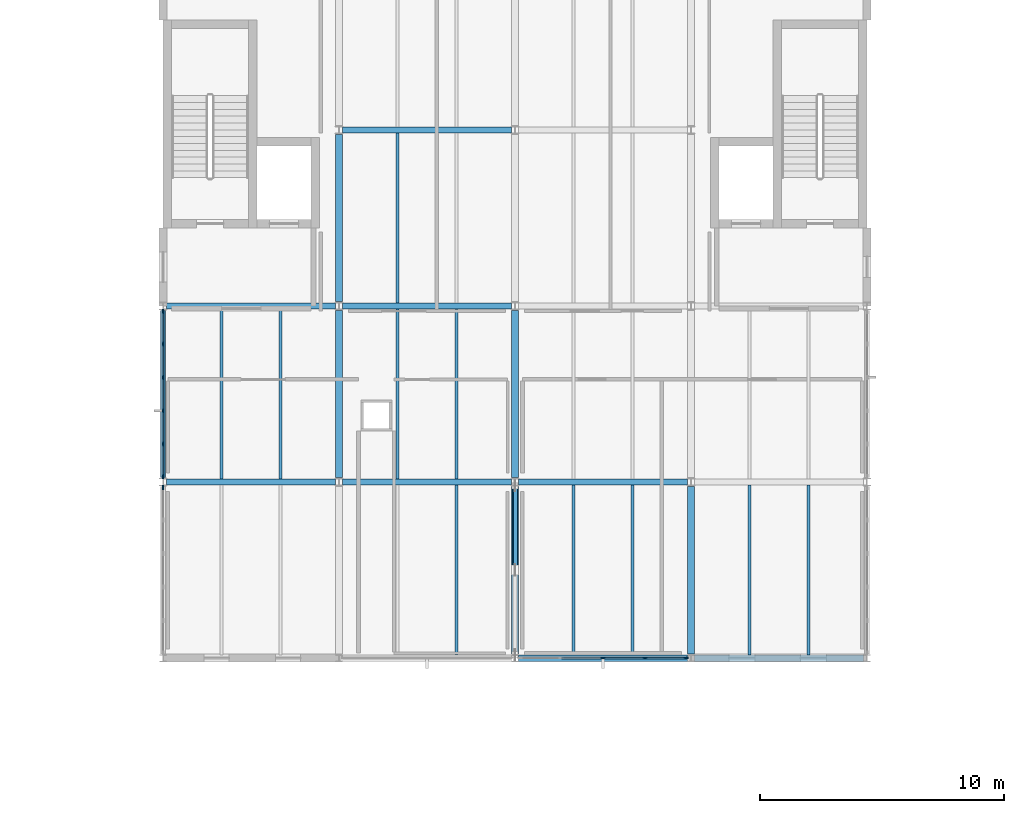
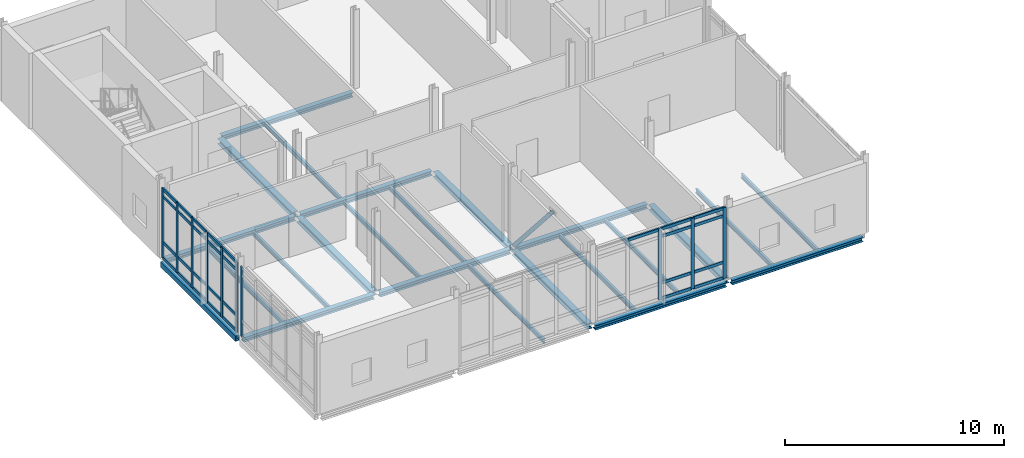
# One storey, part 18 of 43: 40 members, 24 beams, 3 elements without a shape of their own.
"""IFC4 building model written with IfcOpenShell, lengths in metres."""

from ifc_helpers import new_model, si_unit, direction, frame, origin, origin_2d, place, context, subcontext, project, spatial, rectangle, hollow_rectangle, hollow_circle, i_section, extrude, material, layer, layer_set, material_profile, profile_set, type_object, element, aggregate, save


model = new_model("IFC4")

# Units and contexts
model_context = context("Model", 3, precision=1e-05, world=origin(), true_north=direction((0.0, 1.0)))
body_context = subcontext(model_context, "Body", "Model", "MODEL_VIEW")
ifc_project = project(units=[si_unit("LENGTHUNIT", "METRE"), si_unit("AREAUNIT", "SQUARE_METRE"), si_unit("VOLUMEUNIT", "CUBIC_METRE"), si_unit("PLANEANGLEUNIT", "RADIAN"), si_unit("MASSUNIT", "GRAM", prefix="KILO")], contexts=[model_context])

# Site, building, storey
site_placement = place(None, origin())
site = spatial("IfcSite", under=ifc_project, at=site_placement, CompositionType="ELEMENT")
building_placement = place(site_placement, origin())
building = spatial("IfcBuilding", under=site, at=building_placement, Name="Zarrinpeak Specialist Clinic", CompositionType="ELEMENT")
storey_placement = place(building_placement, frame((0.0, 0.0, 18.39990234375)))
storey = spatial("IfcBuildingStorey", under=building, at=storey_placement, Name="L04", CompositionType="ELEMENT", Elevation=18.39990234375)

# Beams
ifc_material_1 = material(Name="Steel S355", Category="steel")
ifc_material_profile_1 = material_profile(ifc_material_1, i_section(OverallWidth=0.260009765625, OverallDepth=0.25, WebThickness=0.007568359375, FlangeThickness=0.012451171875, FilletRadius=0.02392578125, at=origin_2d()), Name="HEA 260")
ifc_profile_set_1 = profile_set([ifc_material_profile_1], Name="Steel S355")
beam_type_1 = type_object("IfcBeamType", Name="BM-HEA260", PredefinedType="BEAM", material=ifc_profile_set_1)
beam_1_placement = place(storey_placement, frame((50.548095703125, 89.199951171875, -0.324951171875), z_axis=(1.0, 0.0, 0.0), x_axis=(0.0, 1.0, 0.0)))
element("IfcBeam", 1, at=beam_1_placement, inside=storey, type_object=beam_type_1, Name="L04 Primary Floor Girder BM-L04-X1865", PredefinedType="BEAM", context=body_context, shape_type="SweptSolid", body=[
    extrude(i_section(OverallWidth=0.260009765625, OverallDepth=0.25, WebThickness=0.007568359375, FlangeThickness=0.012451171875, FilletRadius=0.02392578125, at=origin_2d()), origin(), (0.0, 0.0, 1.0), 6.90380859375),
])
for number, where, z_axis, x_axis, name in (
    (2, (57.748046875, 89.199951171875, -0.324951171875), (1.0, 0.0, 0.0), (0.0, 1.0, 0.0), "L04 Primary Floor Girder BM-L04-X1866"),
    (3, (36.14794921875, 96.39990234375, -0.324951171875), (1.0, 0.0, 0.0), (0.0, 1.0, 0.0), "L04 Primary Floor Girder BM-L04-X1867"),
    (4, (43.347900390625, 96.39990234375, -0.324951171875), (1.0, 0.0, 0.0), (0.0, 1.0, 0.0), "L04 Primary Floor Girder BM-L04-X1868"),
):
    element("IfcBeam", number, at=place(storey_placement, frame(where, z_axis=z_axis, x_axis=x_axis)), inside=storey, type_object=beam_type_1, Name=name, PredefinedType="BEAM", context=body_context, shape_type="SweptSolid", body=[
        extrude(i_section(OverallWidth=0.260009765625, OverallDepth=0.25, WebThickness=0.007568359375, FlangeThickness=0.012451171875, FilletRadius=0.02392578125, at=origin_2d()), origin(), (0.0, 0.0, 1.0), 6.904052734375),
    ])
beam_2_placement = place(storey_placement, frame((50.548095703125, 96.39990234375, -0.324951171875), z_axis=(1.0, 0.0, 0.0), x_axis=(0.0, 1.0, 0.0)))
element("IfcBeam", 5, at=beam_2_placement, inside=storey, type_object=beam_type_1, Name="L04 Primary Floor Girder BM-L04-X1869", PredefinedType="BEAM", context=body_context, shape_type="SweptSolid", body=[
    extrude(i_section(OverallWidth=0.260009765625, OverallDepth=0.25, WebThickness=0.007568359375, FlangeThickness=0.012451171875, FilletRadius=0.02392578125, at=origin_2d()), origin(), (0.0, 0.0, 1.0), 6.90380859375),
])
for number, where, z_axis, x_axis, name in (
    (6, (36.14794921875, 103.60009765625, -0.324951171875), (1.0, 0.0, 0.0), (0.0, 1.0, 0.0), "L04 Primary Floor Girder BM-L04-X1871"),
    (7, (43.347900390625, 103.60009765625, -0.324951171875), (1.0, 0.0, 0.0), (0.0, 1.0, 0.0), "L04 Primary Floor Girder BM-L04-X1872"),
    (8, (43.347900390625, 110.800048828125, -0.324951171875), (1.0, 0.0, 0.0), (0.0, 1.0, 0.0), "L04 Primary Floor Girder BM-L04-X1875"),
):
    element("IfcBeam", number, at=place(storey_placement, frame(where, z_axis=z_axis, x_axis=x_axis)), inside=storey, type_object=beam_type_1, Name=name, PredefinedType="BEAM", context=body_context, shape_type="SweptSolid", body=[
        extrude(i_section(OverallWidth=0.260009765625, OverallDepth=0.25, WebThickness=0.007568359375, FlangeThickness=0.012451171875, FilletRadius=0.02392578125, at=origin_2d()), origin(), (0.0, 0.0, 1.0), 6.904052734375),
    ])
ifc_material_profile_2 = material_profile(ifc_material_1, i_section(OverallWidth=0.300048828125, OverallDepth=0.2900390625, WebThickness=0.008544921875, FlangeThickness=0.013916015625, FilletRadius=0.027099609375, at=origin_2d()), Name="HEA 300")
ifc_profile_set_2 = profile_set([ifc_material_profile_2], Name="Steel S355")
beam_type_2 = type_object("IfcBeamType", Name="BM-HEA300", PredefinedType="BEAM", material=ifc_profile_set_2)
beam_3_placement = place(storey_placement, frame((43.199951171875, 96.577880859375, -0.344970703125), z_axis=(0.0, 1.0, 0.0), x_axis=(-1.0, 0.0, 0.0)))
element("IfcBeam", 9, at=beam_3_placement, inside=storey, type_object=beam_type_2, Name="L04 Primary Beam BM-L04-Y1919", PredefinedType="BEAM", context=body_context, shape_type="SweptSolid", body=[
    extrude(i_section(OverallWidth=0.300048828125, OverallDepth=0.2900390625, WebThickness=0.008544921875, FlangeThickness=0.013916015625, FilletRadius=0.027099609375, at=origin_2d()), origin(), (0.0, 0.0, 1.0), 6.84423828125),
])
beam_4_placement = place(storey_placement, frame((43.199951171875, 103.778076171875, -0.344970703125), z_axis=(0.0, 1.0, 0.0), x_axis=(-1.0, 0.0, 0.0)))
element("IfcBeam", 10, at=beam_4_placement, inside=storey, type_object=beam_type_2, Name="L04 Primary Beam BM-L04-Y1920", PredefinedType="BEAM", context=body_context, shape_type="SweptSolid", body=[
    extrude(i_section(OverallWidth=0.300048828125, OverallDepth=0.2900390625, WebThickness=0.008544921875, FlangeThickness=0.013916015625, FilletRadius=0.027099609375, at=origin_2d()), origin(), (0.0, 0.0, 1.0), 6.843994140625),
])
beam_5_placement = place(storey_placement, frame((50.39990234375, 89.35791015625, -0.344970703125), z_axis=(0.0, 1.0, 0.0), x_axis=(-1.0, 0.0, 0.0)))
element("IfcBeam", 11, at=beam_5_placement, inside=storey, type_object=beam_type_2, Name="L04 Primary Beam BM-L04-Y1925", PredefinedType="BEAM", context=body_context, shape_type="SweptSolid", body=[
    extrude(i_section(OverallWidth=0.300048828125, OverallDepth=0.2900390625, WebThickness=0.008544921875, FlangeThickness=0.013916015625, FilletRadius=0.027099609375, at=origin_2d()), origin(), (0.0, 0.0, 1.0), 6.864013671875),
])
beam_6_placement = place(storey_placement, frame((50.39990234375, 96.577880859375, -0.344970703125), z_axis=(0.0, 1.0, 0.0), x_axis=(-1.0, 0.0, 0.0)))
element("IfcBeam", 12, at=beam_6_placement, inside=storey, type_object=beam_type_2, Name="L04 Primary Beam BM-L04-Y1926", PredefinedType="BEAM", context=body_context, shape_type="SweptSolid", body=[
    extrude(i_section(OverallWidth=0.300048828125, OverallDepth=0.2900390625, WebThickness=0.008544921875, FlangeThickness=0.013916015625, FilletRadius=0.027099609375, at=origin_2d()), origin(), (0.0, 0.0, 1.0), 6.84423828125),
])
beam_7_placement = place(storey_placement, frame((57.60009765625, 89.35791015625, -0.344970703125), z_axis=(0.0, 1.0, 0.0), x_axis=(-1.0, 0.0, 0.0)))
element("IfcBeam", 13, at=beam_7_placement, inside=storey, type_object=beam_type_2, Name="L04 Primary Beam BM-L04-Y1930", PredefinedType="BEAM", context=body_context, shape_type="SweptSolid", body=[
    extrude(i_section(OverallWidth=0.300048828125, OverallDepth=0.2900390625, WebThickness=0.008544921875, FlangeThickness=0.013916015625, FilletRadius=0.027099609375, at=origin_2d()), origin(), (0.0, 0.0, 1.0), 6.864013671875),
])
ifc_material_profile_3 = material_profile(ifc_material_1, i_section(OverallWidth=0.1201171875, OverallDepth=0.239990234375, WebThickness=0.006103515625, FlangeThickness=0.009765625, FilletRadius=0.014892578125, at=origin_2d()), Name="IPE 240")
ifc_profile_set_3 = profile_set([ifc_material_profile_3], Name="Steel S355")
beam_type_3 = type_object("IfcBeamType", Name="BM-JST240", PredefinedType="JOIST", material=ifc_profile_set_3)
for number, where, z_axis, x_axis, name in (
    (14, (38.39990234375, 96.528076171875, -0.31982421875), (0.0, 1.0, 0.0), (-1.0, 0.0, 0.0), "L04 Composite Floor Joist JST-L04-2015"),
    (15, (40.800048828125, 96.528076171875, -0.31982421875), (0.0, 1.0, 0.0), (-1.0, 0.0, 0.0), "L04 Composite Floor Joist JST-L04-2016"),
):
    element("IfcBeam", number, at=place(storey_placement, frame(where, z_axis=z_axis, x_axis=x_axis)), inside=storey, type_object=beam_type_3, Name=name, PredefinedType="JOIST", context=body_context, shape_type="SweptSolid", body=[
        extrude(i_section(OverallWidth=0.1201171875, OverallDepth=0.239990234375, WebThickness=0.006103515625, FlangeThickness=0.009765625, FilletRadius=0.014892578125, at=origin_2d()), origin(), (0.0, 0.0, 1.0), 6.94384765625),
    ])
beam_8_placement = place(storey_placement, frame((48.0, 89.327880859375, -0.31982421875), z_axis=(0.0, 1.0, 0.0), x_axis=(-1.0, 0.0, 0.0)))
element("IfcBeam", 16, at=beam_8_placement, inside=storey, type_object=beam_type_3, Name="L04 Composite Floor Joist JST-L04-2018", PredefinedType="JOIST", context=body_context, shape_type="SweptSolid", body=[
    extrude(i_section(OverallWidth=0.1201171875, OverallDepth=0.239990234375, WebThickness=0.006103515625, FlangeThickness=0.009765625, FilletRadius=0.014892578125, at=origin_2d()), origin(), (0.0, 0.0, 1.0), 6.944091796875),
])
for number, where, z_axis, x_axis, name in (
    (17, (45.60009765625, 96.528076171875, -0.31982421875), (0.0, 1.0, 0.0), (-1.0, 0.0, 0.0), "L04 Composite Floor Joist JST-L04-2019"),
    (18, (48.0, 96.528076171875, -0.31982421875), (0.0, 1.0, 0.0), (-1.0, 0.0, 0.0), "L04 Composite Floor Joist JST-L04-2020"),
):
    element("IfcBeam", number, at=place(storey_placement, frame(where, z_axis=z_axis, x_axis=x_axis)), inside=storey, type_object=beam_type_3, Name=name, PredefinedType="JOIST", context=body_context, shape_type="SweptSolid", body=[
        extrude(i_section(OverallWidth=0.1201171875, OverallDepth=0.239990234375, WebThickness=0.006103515625, FlangeThickness=0.009765625, FilletRadius=0.014892578125, at=origin_2d()), origin(), (0.0, 0.0, 1.0), 6.94384765625),
    ])
for number, where, z_axis, x_axis, name in (
    (19, (45.60009765625, 103.72802734375, -0.31982421875), (0.0, 1.0, 0.0), (-1.0, 0.0, 0.0), "L04 Composite Floor Joist JST-L04-2021"),
    (20, (52.800048828125, 89.327880859375, -0.31982421875), (0.0, 1.0, 0.0), (-1.0, 0.0, 0.0), "L04 Composite Floor Joist JST-L04-2025"),
    (21, (55.199951171875, 89.327880859375, -0.31982421875), (0.0, 1.0, 0.0), (-1.0, 0.0, 0.0), "L04 Composite Floor Joist JST-L04-2026"),
    (22, (60.0, 89.327880859375, -0.31982421875), (0.0, 1.0, 0.0), (-1.0, 0.0, 0.0), "L04 Composite Floor Joist JST-L04-2033"),
    (23, (62.39990234375, 89.327880859375, -0.31982421875), (0.0, 1.0, 0.0), (-1.0, 0.0, 0.0), "L04 Composite Floor Joist JST-L04-2034"),
):
    element("IfcBeam", number, at=place(storey_placement, frame(where, z_axis=z_axis, x_axis=x_axis)), inside=storey, type_object=beam_type_3, Name=name, PredefinedType="JOIST", context=body_context, shape_type="SweptSolid", body=[
        extrude(i_section(OverallWidth=0.1201171875, OverallDepth=0.239990234375, WebThickness=0.006103515625, FlangeThickness=0.009765625, FilletRadius=0.014892578125, at=origin_2d()), origin(), (0.0, 0.0, 1.0), 6.944091796875),
    ])
ifc_material_profile_4 = material_profile(ifc_material_1, hollow_rectangle(XDim=0.199951171875, YDim=0.300048828125, WallThickness=0.012451171875, at=origin_2d()), Name="RHS 300x200x12.5")
ifc_profile_set_4 = profile_set([ifc_material_profile_4], Name="Steel S355")
beam_type_4 = type_object("IfcBeamType", Name="BM-SP300", PredefinedType="SPANDREL", material=ifc_profile_set_4)
beam_9_placement = place(storey_placement, frame((36.0, 96.577880859375, -0.349853515625), z_axis=(0.0, 1.0, 0.0), x_axis=(-1.0, 0.0, 0.0)))
element("IfcBeam", 24, at=beam_9_placement, inside=storey, type_object=beam_type_4, Name="L04 Perimeter Spandrel Beam BM-L04-Y1915", PredefinedType="SPANDREL", context=body_context, shape_type="SweptSolid", body=[
    extrude(hollow_rectangle(XDim=0.199951171875, YDim=0.300048828125, WallThickness=0.012451171875, at=origin_2d()), origin(), (0.0, 0.0, 1.0), 6.84423828125),
])

# Curtain wall, members
ifc_material_2 = material(Name="Anodised Aluminium Alloy 6063-T6", Category="aluminium")
ifc_layer_1 = layer(ifc_material_2, 0.179931640625)
ifc_layer_set_1 = layer_set([ifc_layer_1], Name="Anodised Aluminium Alloy 6063-T6")
curtain_wall_type_1 = type_object("IfcCurtainWallType", Name="CW-COURT", PredefinedType="NOTDEFINED", material=ifc_layer_set_1)
curtain_wall_1_placement = place(storey_placement, origin())
curtain_wall_1 = element("IfcCurtainWall", 25, at=curtain_wall_1_placement, inside=storey, type_object=curtain_wall_type_1, Name="L04 V6 Unitised Curtain Wall CW-L04-V6-154", PredefinedType="NOTDEFINED")
ifc_material_profile_5 = material_profile(ifc_material_2, rectangle(XDim=0.074951171875, YDim=0.179931640625, at=origin_2d()), Name="ALU 75x180")
ifc_profile_set_5 = profile_set([ifc_material_profile_5], Name="Anodised Aluminium Alloy 6063-T6")
member_type_1 = type_object("IfcMemberType", Name="CWM-75", PredefinedType="MULLION", material=ifc_profile_set_5)
member_1_placement = place(storey_placement, frame((54.0, 89.199951171875, 0.0), z_axis=(0.0, 0.0, 1.0), x_axis=(0.0, 1.0, 0.0)))
member_1 = element("IfcMember", 26, at=member_1_placement, type_object=member_type_1, Name="CW-01 mullion 3", PredefinedType="MULLION", context=body_context, shape_type="SweptSolid", body=[
    extrude(rectangle(XDim=0.074951171875, YDim=0.179931640625, at=origin_2d()), origin(), (0.0, 0.0, 1.0), 3.940185546875),
])
member_2_placement = place(storey_placement, frame((55.717529296875, 89.199951171875, 0.0), z_axis=(0.0, 0.0, 1.0), x_axis=(0.0, 1.0, 0.0)))
member_2 = element("IfcMember", 27, at=member_2_placement, type_object=member_type_1, Name="CW-01 mullion 4", PredefinedType="MULLION", context=body_context, shape_type="SweptSolid", body=[
    extrude(rectangle(XDim=0.074951171875, YDim=0.179931640625, at=origin_2d()), origin(), (0.0, 0.0, 1.0), 3.940185546875),
])
member_3_placement = place(storey_placement, frame((57.3974609375, 89.199951171875, 0.0), z_axis=(0.0, 0.0, 1.0), x_axis=(0.0, 1.0, 0.0)))
member_3 = element("IfcMember", 28, at=member_3_placement, type_object=member_type_1, Name="CW-01 mullion 5", PredefinedType="MULLION", context=body_context, shape_type="SweptSolid", body=[
    extrude(rectangle(XDim=0.074951171875, YDim=0.179931640625, at=origin_2d()), origin(), (0.0, 0.0, 1.0), 3.940185546875),
])

# Curtain wall, member
ifc_layer_2 = layer(ifc_material_2, 0.1650390625)
ifc_layer_set_2 = layer_set([ifc_layer_2], Name="Anodised Aluminium Alloy 6063-T6")
curtain_wall_type_2 = type_object("IfcCurtainWallType", Name="CW-CLINIC", PredefinedType="NOTDEFINED", material=ifc_layer_set_2)
curtain_wall_2_placement = place(storey_placement, origin())
curtain_wall_2 = element("IfcCurtainWall", 29, at=curtain_wall_2_placement, inside=storey, type_object=curtain_wall_type_2, Name="L04 V6 Unitised Curtain Wall CW-L04-V6-155", PredefinedType="NOTDEFINED")
member_4_placement = place(storey_placement, frame((36.0, 96.177490234375, 0.0), z_axis=(0.0, 0.0, 1.0), x_axis=(1.0, 0.0, 0.0)))
member_4 = element("IfcMember", 30, at=member_4_placement, type_object=member_type_1, Name="CW-03 mullion 1", PredefinedType="MULLION", context=body_context, shape_type="SweptSolid", body=[
    extrude(rectangle(XDim=0.074951171875, YDim=0.179931640625, at=origin_2d()), origin(), (0.0, 0.0, 1.0), 3.89013671875),
])
aggregate(curtain_wall_2, [member_4])

# Curtain wall, members
curtain_wall_3_placement = place(storey_placement, origin())
curtain_wall_3 = element("IfcCurtainWall", 31, at=curtain_wall_3_placement, inside=storey, type_object=curtain_wall_type_2, Name="L04 V6 Unitised Curtain Wall CW-L04-V6-156", PredefinedType="NOTDEFINED")
member_5_placement = place(storey_placement, frame((36.0, 103.37744140625, 0.0), z_axis=(0.0, 0.0, 1.0), x_axis=(1.0, 0.0, 0.0)))
member_5 = element("IfcMember", 32, at=member_5_placement, type_object=member_type_1, Name="CW-03 mullion 1", PredefinedType="MULLION", context=body_context, shape_type="SweptSolid", body=[
    extrude(rectangle(XDim=0.074951171875, YDim=0.179931640625, at=origin_2d()), origin(), (0.0, 0.0, 1.0), 3.900146484375),
])
member_6_placement = place(storey_placement, frame((36.0, 102.049072265625, 0.0), z_axis=(0.0, 0.0, 1.0), x_axis=(1.0, 0.0, 0.0)))
member_6 = element("IfcMember", 33, at=member_6_placement, type_object=member_type_1, Name="CW-03 mullion 2", PredefinedType="MULLION", context=body_context, shape_type="SweptSolid", body=[
    extrude(rectangle(XDim=0.074951171875, YDim=0.179931640625, at=origin_2d()), origin(), (0.0, 0.0, 1.0), 3.900146484375),
])
member_7_placement = place(storey_placement, frame((36.0, 100.68310546875, 0.0), z_axis=(0.0, 0.0, 1.0), x_axis=(1.0, 0.0, 0.0)))
member_7 = element("IfcMember", 34, at=member_7_placement, type_object=member_type_1, Name="CW-03 mullion 3", PredefinedType="MULLION", context=body_context, shape_type="SweptSolid", body=[
    extrude(rectangle(XDim=0.074951171875, YDim=0.179931640625, at=origin_2d()), origin(), (0.0, 0.0, 1.0), 3.900146484375),
])
member_8_placement = place(storey_placement, frame((36.0, 99.31689453125, 0.0), z_axis=(0.0, 0.0, 1.0), x_axis=(1.0, 0.0, 0.0)))
member_8 = element("IfcMember", 35, at=member_8_placement, type_object=member_type_1, Name="CW-03 mullion 4", PredefinedType="MULLION", context=body_context, shape_type="SweptSolid", body=[
    extrude(rectangle(XDim=0.074951171875, YDim=0.179931640625, at=origin_2d()), origin(), (0.0, 0.0, 1.0), 3.900146484375),
])
member_9_placement = place(storey_placement, frame((36.0, 97.950927734375, 0.0), z_axis=(0.0, 0.0, 1.0), x_axis=(1.0, 0.0, 0.0)))
member_9 = element("IfcMember", 36, at=member_9_placement, type_object=member_type_1, Name="CW-03 mullion 5", PredefinedType="MULLION", context=body_context, shape_type="SweptSolid", body=[
    extrude(rectangle(XDim=0.074951171875, YDim=0.179931640625, at=origin_2d()), origin(), (0.0, 0.0, 1.0), 3.900146484375),
])
member_10_placement = place(storey_placement, frame((36.0, 96.62255859375, 0.0), z_axis=(0.0, 0.0, 1.0), x_axis=(1.0, 0.0, 0.0)))
member_10 = element("IfcMember", 37, at=member_10_placement, type_object=member_type_1, Name="CW-03 mullion 6", PredefinedType="MULLION", context=body_context, shape_type="SweptSolid", body=[
    extrude(rectangle(XDim=0.074951171875, YDim=0.179931640625, at=origin_2d()), origin(), (0.0, 0.0, 1.0), 3.900146484375),
])

# Member
ifc_material_profile_6 = material_profile(ifc_material_2, rectangle(XDim=0.074951171875, YDim=0.159912109375, at=origin_2d()), Name="ALU 75x160")
ifc_profile_set_6 = profile_set([ifc_material_profile_6], Name="Anodised Aluminium Alloy 6063-T6")
member_type_2 = type_object("IfcMemberType", Name="CWT-75", PredefinedType="USERDEFINED", material=ifc_profile_set_6)
member_11_placement = place(storey_placement, frame((52.320068359375, 89.199951171875, 3.902587890625), z_axis=(1.0, 0.0, 0.0), x_axis=(0.0, 1.0, 0.0)))
member_11 = element("IfcMember", 38, at=member_11_placement, type_object=member_type_2, Name="CW-01 transom 2.4", ObjectType="TRANSOM", PredefinedType="USERDEFINED", context=body_context, shape_type="SweptSolid", body=[
    extrude(rectangle(XDim=0.074951171875, YDim=0.159912109375, at=origin_2d()), origin(), (0.0, 0.0, 1.0), 1.642333984375),
])

member_12_placement = place(storey_placement, frame((54.03759765625, 89.199951171875, 0.03759765625), z_axis=(1.0, 0.0, 0.0), x_axis=(0.0, 1.0, 0.0)))
member_12 = element("IfcMember", 39, at=member_12_placement, type_object=member_type_2, Name="CW-01 transom 3.1", ObjectType="TRANSOM", PredefinedType="USERDEFINED", context=body_context, shape_type="SweptSolid", body=[
    extrude(rectangle(XDim=0.074951171875, YDim=0.159912109375, at=origin_2d()), origin(), (0.0, 0.0, 1.0), 1.642333984375),
])

member_13_placement = place(storey_placement, frame((54.03759765625, 89.199951171875, 0.900146484375), z_axis=(1.0, 0.0, 0.0), x_axis=(0.0, 1.0, 0.0)))
member_13 = element("IfcMember", 40, at=member_13_placement, type_object=member_type_2, Name="CW-01 transom 3.2", ObjectType="TRANSOM", PredefinedType="USERDEFINED", context=body_context, shape_type="SweptSolid", body=[
    extrude(rectangle(XDim=0.074951171875, YDim=0.159912109375, at=origin_2d()), origin(), (0.0, 0.0, 1.0), 1.642333984375),
])

member_14_placement = place(storey_placement, frame((54.03759765625, 89.199951171875, 3.489990234375), z_axis=(1.0, 0.0, 0.0), x_axis=(0.0, 1.0, 0.0)))
member_14 = element("IfcMember", 41, at=member_14_placement, type_object=member_type_2, Name="CW-01 transom 3.3", ObjectType="TRANSOM", PredefinedType="USERDEFINED", context=body_context, shape_type="SweptSolid", body=[
    extrude(rectangle(XDim=0.074951171875, YDim=0.159912109375, at=origin_2d()), origin(), (0.0, 0.0, 1.0), 1.642333984375),
])

member_15_placement = place(storey_placement, frame((54.03759765625, 89.199951171875, 3.902587890625), z_axis=(1.0, 0.0, 0.0), x_axis=(0.0, 1.0, 0.0)))
member_15 = element("IfcMember", 42, at=member_15_placement, type_object=member_type_2, Name="CW-01 transom 3.4", ObjectType="TRANSOM", PredefinedType="USERDEFINED", context=body_context, shape_type="SweptSolid", body=[
    extrude(rectangle(XDim=0.074951171875, YDim=0.159912109375, at=origin_2d()), origin(), (0.0, 0.0, 1.0), 1.642333984375),
])

member_16_placement = place(storey_placement, frame((55.7548828125, 89.199951171875, 0.03759765625), z_axis=(1.0, 0.0, 0.0), x_axis=(0.0, 1.0, 0.0)))
member_16 = element("IfcMember", 43, at=member_16_placement, type_object=member_type_2, Name="CW-01 transom 4.1", ObjectType="TRANSOM", PredefinedType="USERDEFINED", context=body_context, shape_type="SweptSolid", body=[
    extrude(rectangle(XDim=0.074951171875, YDim=0.159912109375, at=origin_2d()), origin(), (0.0, 0.0, 1.0), 1.605224609375),
])

member_17_placement = place(storey_placement, frame((55.7548828125, 89.199951171875, 0.900146484375), z_axis=(1.0, 0.0, 0.0), x_axis=(0.0, 1.0, 0.0)))
member_17 = element("IfcMember", 44, at=member_17_placement, type_object=member_type_2, Name="CW-01 transom 4.2", ObjectType="TRANSOM", PredefinedType="USERDEFINED", context=body_context, shape_type="SweptSolid", body=[
    extrude(rectangle(XDim=0.074951171875, YDim=0.159912109375, at=origin_2d()), origin(), (0.0, 0.0, 1.0), 1.605224609375),
])

member_18_placement = place(storey_placement, frame((55.7548828125, 89.199951171875, 3.489990234375), z_axis=(1.0, 0.0, 0.0), x_axis=(0.0, 1.0, 0.0)))
member_18 = element("IfcMember", 45, at=member_18_placement, type_object=member_type_2, Name="CW-01 transom 4.3", ObjectType="TRANSOM", PredefinedType="USERDEFINED", context=body_context, shape_type="SweptSolid", body=[
    extrude(rectangle(XDim=0.074951171875, YDim=0.159912109375, at=origin_2d()), origin(), (0.0, 0.0, 1.0), 1.605224609375),
])

member_19_placement = place(storey_placement, frame((55.7548828125, 89.199951171875, 3.902587890625), z_axis=(1.0, 0.0, 0.0), x_axis=(0.0, 1.0, 0.0)))
member_19 = element("IfcMember", 46, at=member_19_placement, type_object=member_type_2, Name="CW-01 transom 4.4", ObjectType="TRANSOM", PredefinedType="USERDEFINED", context=body_context, shape_type="SweptSolid", body=[
    extrude(rectangle(XDim=0.074951171875, YDim=0.159912109375, at=origin_2d()), origin(), (0.0, 0.0, 1.0), 1.605224609375),
])

aggregate(curtain_wall_1, [member_1, member_2, member_3, member_11, member_12, member_13, member_14, member_15, member_16, member_17, member_18, member_19])

member_20_placement = place(storey_placement, frame((36.0, 103.340087890625, 0.03759765625), z_axis=(0.0, -1.0, 0.0), x_axis=(1.0, 0.0, 0.0)))
member_20 = element("IfcMember", 47, at=member_20_placement, type_object=member_type_2, Name="CW-03 transom 1.1", ObjectType="TRANSOM", PredefinedType="USERDEFINED", context=body_context, shape_type="SweptSolid", body=[
    extrude(rectangle(XDim=0.074951171875, YDim=0.159912109375, at=origin_2d()), origin(), (0.0, 0.0, 1.0), 1.253662109375),
])

member_21_placement = place(storey_placement, frame((36.0, 103.340087890625, 0.900146484375), z_axis=(0.0, -1.0, 0.0), x_axis=(1.0, 0.0, 0.0)))
member_21 = element("IfcMember", 48, at=member_21_placement, type_object=member_type_2, Name="CW-03 transom 1.2", ObjectType="TRANSOM", PredefinedType="USERDEFINED", context=body_context, shape_type="SweptSolid", body=[
    extrude(rectangle(XDim=0.074951171875, YDim=0.159912109375, at=origin_2d()), origin(), (0.0, 0.0, 1.0), 1.253662109375),
])

member_22_placement = place(storey_placement, frame((36.0, 103.340087890625, 3.4501953125), z_axis=(0.0, -1.0, 0.0), x_axis=(1.0, 0.0, 0.0)))
member_22 = element("IfcMember", 49, at=member_22_placement, type_object=member_type_2, Name="CW-03 transom 1.3", ObjectType="TRANSOM", PredefinedType="USERDEFINED", context=body_context, shape_type="SweptSolid", body=[
    extrude(rectangle(XDim=0.074951171875, YDim=0.159912109375, at=origin_2d()), origin(), (0.0, 0.0, 1.0), 1.253662109375),
])

member_23_placement = place(storey_placement, frame((36.0, 103.340087890625, 3.862548828125), z_axis=(0.0, -1.0, 0.0), x_axis=(1.0, 0.0, 0.0)))
member_23 = element("IfcMember", 50, at=member_23_placement, type_object=member_type_2, Name="CW-03 transom 1.4", ObjectType="TRANSOM", PredefinedType="USERDEFINED", context=body_context, shape_type="SweptSolid", body=[
    extrude(rectangle(XDim=0.074951171875, YDim=0.159912109375, at=origin_2d()), origin(), (0.0, 0.0, 1.0), 1.253662109375),
])

member_24_placement = place(storey_placement, frame((36.0, 102.011474609375, 0.03759765625), z_axis=(0.0, -1.0, 0.0), x_axis=(1.0, 0.0, 0.0)))
member_24 = element("IfcMember", 51, at=member_24_placement, type_object=member_type_2, Name="CW-03 transom 2.1", ObjectType="TRANSOM", PredefinedType="USERDEFINED", context=body_context, shape_type="SweptSolid", body=[
    extrude(rectangle(XDim=0.074951171875, YDim=0.159912109375, at=origin_2d()), origin(), (0.0, 0.0, 1.0), 1.291015625),
])

member_25_placement = place(storey_placement, frame((36.0, 102.011474609375, 0.900146484375), z_axis=(0.0, -1.0, 0.0), x_axis=(1.0, 0.0, 0.0)))
member_25 = element("IfcMember", 52, at=member_25_placement, type_object=member_type_2, Name="CW-03 transom 2.2", ObjectType="TRANSOM", PredefinedType="USERDEFINED", context=body_context, shape_type="SweptSolid", body=[
    extrude(rectangle(XDim=0.074951171875, YDim=0.159912109375, at=origin_2d()), origin(), (0.0, 0.0, 1.0), 1.291015625),
])

member_26_placement = place(storey_placement, frame((36.0, 102.011474609375, 3.4501953125), z_axis=(0.0, -1.0, 0.0), x_axis=(1.0, 0.0, 0.0)))
member_26 = element("IfcMember", 53, at=member_26_placement, type_object=member_type_2, Name="CW-03 transom 2.3", ObjectType="TRANSOM", PredefinedType="USERDEFINED", context=body_context, shape_type="SweptSolid", body=[
    extrude(rectangle(XDim=0.074951171875, YDim=0.159912109375, at=origin_2d()), origin(), (0.0, 0.0, 1.0), 1.291015625),
])

member_27_placement = place(storey_placement, frame((36.0, 102.011474609375, 3.862548828125), z_axis=(0.0, -1.0, 0.0), x_axis=(1.0, 0.0, 0.0)))
member_27 = element("IfcMember", 54, at=member_27_placement, type_object=member_type_2, Name="CW-03 transom 2.4", ObjectType="TRANSOM", PredefinedType="USERDEFINED", context=body_context, shape_type="SweptSolid", body=[
    extrude(rectangle(XDim=0.074951171875, YDim=0.159912109375, at=origin_2d()), origin(), (0.0, 0.0, 1.0), 1.291015625),
])

member_28_placement = place(storey_placement, frame((36.0, 100.6455078125, 0.03759765625), z_axis=(0.0, -1.0, 0.0), x_axis=(1.0, 0.0, 0.0)))
member_28 = element("IfcMember", 55, at=member_28_placement, type_object=member_type_2, Name="CW-03 transom 3.1", ObjectType="TRANSOM", PredefinedType="USERDEFINED", context=body_context, shape_type="SweptSolid", body=[
    extrude(rectangle(XDim=0.074951171875, YDim=0.159912109375, at=origin_2d()), origin(), (0.0, 0.0, 1.0), 1.291015625),
])

member_29_placement = place(storey_placement, frame((36.0, 100.6455078125, 0.900146484375), z_axis=(0.0, -1.0, 0.0), x_axis=(1.0, 0.0, 0.0)))
member_29 = element("IfcMember", 56, at=member_29_placement, type_object=member_type_2, Name="CW-03 transom 3.2", ObjectType="TRANSOM", PredefinedType="USERDEFINED", context=body_context, shape_type="SweptSolid", body=[
    extrude(rectangle(XDim=0.074951171875, YDim=0.159912109375, at=origin_2d()), origin(), (0.0, 0.0, 1.0), 1.291015625),
])

member_30_placement = place(storey_placement, frame((36.0, 100.6455078125, 3.4501953125), z_axis=(0.0, -1.0, 0.0), x_axis=(1.0, 0.0, 0.0)))
member_30 = element("IfcMember", 57, at=member_30_placement, type_object=member_type_2, Name="CW-03 transom 3.3", ObjectType="TRANSOM", PredefinedType="USERDEFINED", context=body_context, shape_type="SweptSolid", body=[
    extrude(rectangle(XDim=0.074951171875, YDim=0.159912109375, at=origin_2d()), origin(), (0.0, 0.0, 1.0), 1.291015625),
])

member_31_placement = place(storey_placement, frame((36.0, 100.6455078125, 3.862548828125), z_axis=(0.0, -1.0, 0.0), x_axis=(1.0, 0.0, 0.0)))
member_31 = element("IfcMember", 58, at=member_31_placement, type_object=member_type_2, Name="CW-03 transom 3.4", ObjectType="TRANSOM", PredefinedType="USERDEFINED", context=body_context, shape_type="SweptSolid", body=[
    extrude(rectangle(XDim=0.074951171875, YDim=0.159912109375, at=origin_2d()), origin(), (0.0, 0.0, 1.0), 1.291015625),
])

member_32_placement = place(storey_placement, frame((36.0, 99.279541015625, 0.03759765625), z_axis=(0.0, -1.0, 0.0), x_axis=(1.0, 0.0, 0.0)))
member_32 = element("IfcMember", 59, at=member_32_placement, type_object=member_type_2, Name="CW-03 transom 4.1", ObjectType="TRANSOM", PredefinedType="USERDEFINED", context=body_context, shape_type="SweptSolid", body=[
    extrude(rectangle(XDim=0.074951171875, YDim=0.159912109375, at=origin_2d()), origin(), (0.0, 0.0, 1.0), 1.291015625),
])

member_33_placement = place(storey_placement, frame((36.0, 99.279541015625, 0.900146484375), z_axis=(0.0, -1.0, 0.0), x_axis=(1.0, 0.0, 0.0)))
member_33 = element("IfcMember", 60, at=member_33_placement, type_object=member_type_2, Name="CW-03 transom 4.2", ObjectType="TRANSOM", PredefinedType="USERDEFINED", context=body_context, shape_type="SweptSolid", body=[
    extrude(rectangle(XDim=0.074951171875, YDim=0.159912109375, at=origin_2d()), origin(), (0.0, 0.0, 1.0), 1.291015625),
])

member_34_placement = place(storey_placement, frame((36.0, 99.279541015625, 3.4501953125), z_axis=(0.0, -1.0, 0.0), x_axis=(1.0, 0.0, 0.0)))
member_34 = element("IfcMember", 61, at=member_34_placement, type_object=member_type_2, Name="CW-03 transom 4.3", ObjectType="TRANSOM", PredefinedType="USERDEFINED", context=body_context, shape_type="SweptSolid", body=[
    extrude(rectangle(XDim=0.074951171875, YDim=0.159912109375, at=origin_2d()), origin(), (0.0, 0.0, 1.0), 1.291015625),
])

member_35_placement = place(storey_placement, frame((36.0, 99.279541015625, 3.862548828125), z_axis=(0.0, -1.0, 0.0), x_axis=(1.0, 0.0, 0.0)))
member_35 = element("IfcMember", 62, at=member_35_placement, type_object=member_type_2, Name="CW-03 transom 4.4", ObjectType="TRANSOM", PredefinedType="USERDEFINED", context=body_context, shape_type="SweptSolid", body=[
    extrude(rectangle(XDim=0.074951171875, YDim=0.159912109375, at=origin_2d()), origin(), (0.0, 0.0, 1.0), 1.291015625),
])

member_36_placement = place(storey_placement, frame((36.0, 97.91357421875, 0.03759765625), z_axis=(0.0, -1.0, 0.0), x_axis=(1.0, 0.0, 0.0)))
member_36 = element("IfcMember", 63, at=member_36_placement, type_object=member_type_2, Name="CW-03 transom 5.1", ObjectType="TRANSOM", PredefinedType="USERDEFINED", context=body_context, shape_type="SweptSolid", body=[
    extrude(rectangle(XDim=0.074951171875, YDim=0.159912109375, at=origin_2d()), origin(), (0.0, 0.0, 1.0), 1.253662109375),
])

member_37_placement = place(storey_placement, frame((36.0, 97.91357421875, 0.900146484375), z_axis=(0.0, -1.0, 0.0), x_axis=(1.0, 0.0, 0.0)))
member_37 = element("IfcMember", 64, at=member_37_placement, type_object=member_type_2, Name="CW-03 transom 5.2", ObjectType="TRANSOM", PredefinedType="USERDEFINED", context=body_context, shape_type="SweptSolid", body=[
    extrude(rectangle(XDim=0.074951171875, YDim=0.159912109375, at=origin_2d()), origin(), (0.0, 0.0, 1.0), 1.253662109375),
])

member_38_placement = place(storey_placement, frame((36.0, 97.91357421875, 3.4501953125), z_axis=(0.0, -1.0, 0.0), x_axis=(1.0, 0.0, 0.0)))
member_38 = element("IfcMember", 65, at=member_38_placement, type_object=member_type_2, Name="CW-03 transom 5.3", ObjectType="TRANSOM", PredefinedType="USERDEFINED", context=body_context, shape_type="SweptSolid", body=[
    extrude(rectangle(XDim=0.074951171875, YDim=0.159912109375, at=origin_2d()), origin(), (0.0, 0.0, 1.0), 1.253662109375),
])

member_39_placement = place(storey_placement, frame((36.0, 97.91357421875, 3.862548828125), z_axis=(0.0, -1.0, 0.0), x_axis=(1.0, 0.0, 0.0)))
member_39 = element("IfcMember", 66, at=member_39_placement, type_object=member_type_2, Name="CW-03 transom 5.4", ObjectType="TRANSOM", PredefinedType="USERDEFINED", context=body_context, shape_type="SweptSolid", body=[
    extrude(rectangle(XDim=0.074951171875, YDim=0.159912109375, at=origin_2d()), origin(), (0.0, 0.0, 1.0), 1.253662109375),
])

aggregate(curtain_wall_3, [member_5, member_6, member_7, member_8, member_9, member_10, member_20, member_21, member_22, member_23, member_24, member_25, member_26, member_27, member_28, member_29, member_30, member_31, member_32, member_33, member_34, member_35, member_36, member_37, member_38, member_39])

ifc_material_profile_7 = material_profile(ifc_material_1, hollow_circle(Radius=0.109619140625, WallThickness=0.010009765625, at=origin_2d()), Name="CHS 219.1x10.0")
ifc_profile_set_7 = profile_set([ifc_material_profile_7], Name="Steel S355")
member_type_3 = type_object("IfcMemberType", Name="MB-BR219", PredefinedType="BRACE", material=ifc_profile_set_7)
member_40_placement = place(storey_placement, frame((50.39990234375, 96.239990234375, 0.005126953125), z_axis=(0.0, -0.659590969854, 0.751624741801), x_axis=(1.0, 0.0, 0.0)))
element("IfcMember", 67, at=member_40_placement, inside=storey, type_object=member_type_3, Name="V6 L04 Seismic Concentric Brace CBF-052", PredefinedType="BRACE", context=body_context, shape_type="SweptSolid", body=[
    extrude(hollow_circle(Radius=0.109619140625, WallThickness=0.010009765625, at=origin_2d()), origin(), (0.0, 0.0, 1.0), 5.21533203125),
])

save(model, "model.ifc")
